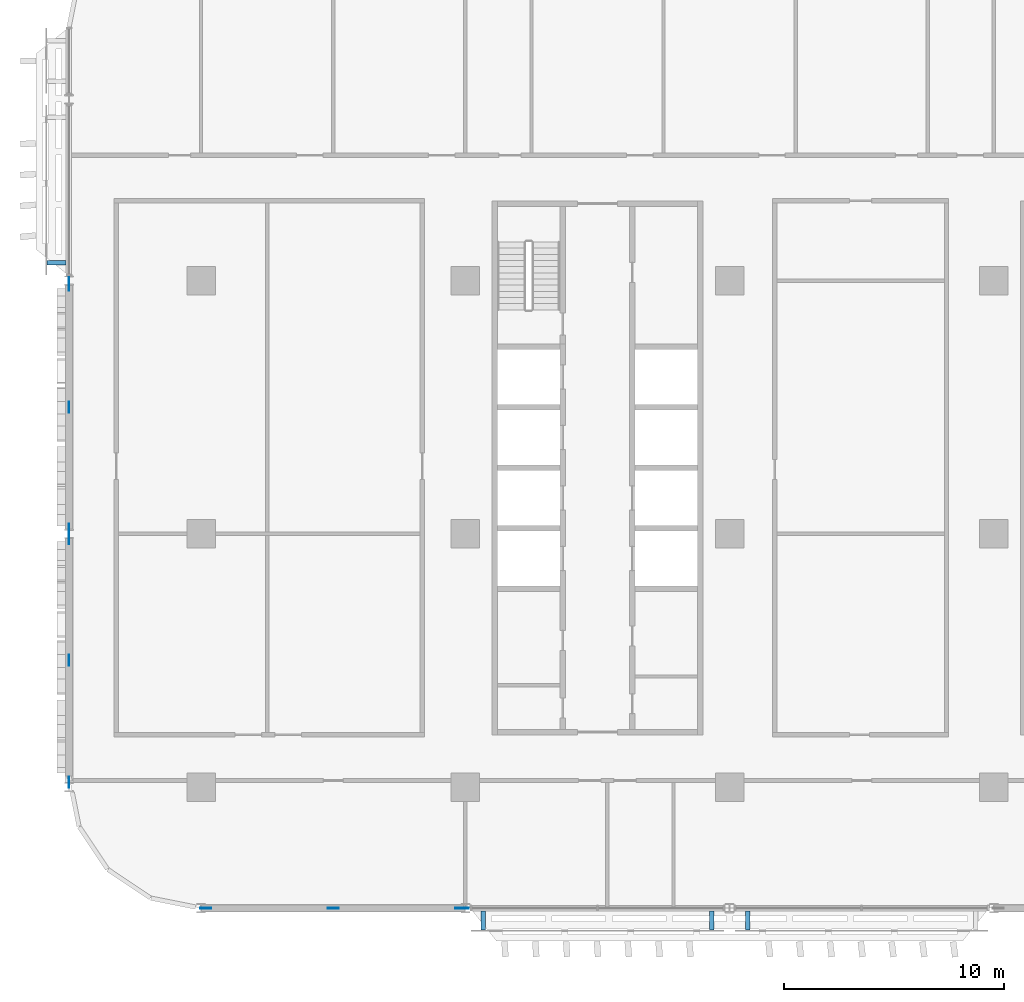
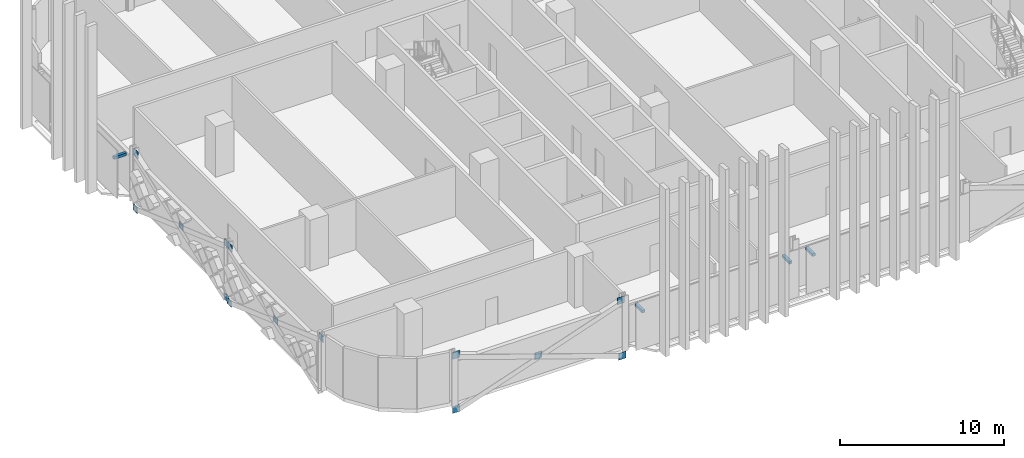
# One storey, part 18 of 33: 18 discrete accessories.
"""IFC4 building model written with IfcOpenShell, lengths in metres."""

from ifc_helpers import new_model, si_unit, direction, frame, origin, origin_2d, place, context, subcontext, project, spatial, rectangle, extrude, material, layer, layer_set, type_object, element, save


model = new_model("IFC4")

# Units and contexts
model_context = context("Model", 3, precision=1e-05, world=origin(), true_north=direction((0.0, 1.0)))
body_context = subcontext(model_context, "Body", "Model", "MODEL_VIEW")
ifc_project = project(units=[si_unit("LENGTHUNIT", "METRE"), si_unit("AREAUNIT", "SQUARE_METRE"), si_unit("VOLUMEUNIT", "CUBIC_METRE"), si_unit("PLANEANGLEUNIT", "RADIAN"), si_unit("MASSUNIT", "GRAM", prefix="KILO")], contexts=[model_context])

# Site, building, storey
site_placement = place(None, origin())
site = spatial("IfcSite", under=ifc_project, at=site_placement, CompositionType="ELEMENT")
building_placement = place(site_placement, origin())
building = spatial("IfcBuilding", under=site, at=building_placement, Name="Mahtab Terrace Research Tower", CompositionType="ELEMENT")
storey_placement = place(building_placement, frame((0.0, 0.0, 122.0)))
storey = spatial("IfcBuildingStorey", under=building, at=storey_placement, Name="L28", CompositionType="ELEMENT", Elevation=122.0)

# Discrete accessories
ifc_material_1 = material(Name="Black anodised aluminium", Category="aluminium")
discrete_accessory_type_1 = type_object("IfcDiscreteAccessoryType", Name="Facade bracket", PredefinedType="BRACKET", material=ifc_material_1)
for number, where, z_axis, x_axis, name in (
    (1, (-48.5625, 12.318115234375, 2.703125), (0.0, 0.0, 1.0), (0.0, -1.0, 0.0), "Screen bracket Girih screen L28 W17"),
    (2, (-29.181884765625, -17.5625, 2.703125), (0.0, 0.0, 1.0), (1.0, 0.0, 0.0), "Screen bracket Girih screen L28 S26"),
    (3, (-18.818115234375, -17.5625, 2.703125), (0.0, 0.0, 1.0), (1.0, 0.0, 0.0), "Screen bracket Girih screen L28 S26"),
    (4, (-17.181884765625, -17.5625, 2.703125), (0.0, 0.0, 1.0), (1.0, 0.0, 0.0), "Screen bracket Girih screen L28 S27"),
):
    element("IfcDiscreteAccessory", number, at=place(storey_placement, frame(where, z_axis=z_axis, x_axis=x_axis)), inside=storey, type_object=discrete_accessory_type_1, Name=name, PredefinedType="BRACKET", context=body_context, shape_type="SweptSolid", body=[
        extrude(rectangle(XDim=0.199951171875, YDim=0.875, at=origin_2d()), origin(), (0.0, 0.0, 1.0), 0.199951171875),
    ])
ifc_material_2 = material(Name="Steel ASTM A992 Gr 50", Category="steel")
ifc_layer = layer(ifc_material_2, 0.030029296875)
ifc_layer_set = layer_set([ifc_layer], Name="Gusset plate 500x500x30")
discrete_accessory_type_2 = type_object("IfcDiscreteAccessoryType", Name="Gusset plate 500x500x30", PredefinedType="USERDEFINED", material=ifc_layer_set)
for number, where, z_axis, x_axis, name in (
    (5, (-41.794189453125, -17.0, -0.898193359375), (0.0, 0.0, 1.0), (1.0, 0.0, 0.0), "Gusset plate"),
    (6, (-41.794189453125, -17.0, 3.131591796875), (0.0, 0.0, 1.0), (1.0, 0.0, 0.0), "Gusset plate"),
    (7, (-36.0, -17.0, 1.08154296875), (0.0, 0.0, 1.0), (1.0, 0.0, 0.0), "Gusset plate"),
    (8, (-30.102783203125, -17.0, -1.0234375), (0.0, 0.0, 1.0), (1.0, 0.0, 0.0), "Gusset plate"),
    (9, (-30.205810546875, -17.0, 3.131591796875), (0.0, 0.0, 1.0), (1.0, 0.0, 0.0), "Gusset plate"),
    (10, (-48.0, -11.28271484375, 3.131591796875), (0.0, 0.0, 1.0), (0.0, 1.0, 0.0), "Gusset plate"),
    (11, (-48.0, -5.75, 1.08154296875), (0.0, 0.0, 1.0), (0.0, 1.0, 0.0), "Gusset plate"),
    (12, (-48.0, -0.108642578125, -1.02001953125), (0.0, 0.0, 1.0), (0.0, 1.0, 0.0), "Gusset plate"),
    (13, (-48.0, -0.21728515625, 3.131591796875), (0.0, 0.0, 1.0), (0.0, 1.0, 0.0), "Gusset plate"),
    (14, (-48.0, 0.21728515625, -0.89111328125), (0.0, 0.0, 1.0), (0.0, 1.0, 0.0), "Gusset plate"),
    (15, (-48.0, 0.21728515625, 3.131591796875), (0.0, 0.0, 1.0), (0.0, 1.0, 0.0), "Gusset plate"),
    (16, (-48.0, 5.75, 1.08154296875), (0.0, 0.0, 1.0), (0.0, 1.0, 0.0), "Gusset plate"),
    (17, (-48.0, 11.391357421875, -1.02001953125), (0.0, 0.0, 1.0), (0.0, 1.0, 0.0), "Gusset plate"),
    (18, (-48.0, 11.28271484375, 3.131591796875), (0.0, 0.0, 1.0), (0.0, 1.0, 0.0), "Gusset plate"),
):
    element("IfcDiscreteAccessory", number, at=place(storey_placement, frame(where, z_axis=z_axis, x_axis=x_axis)), inside=storey, type_object=discrete_accessory_type_2, Name=name, ObjectType="GUSSET PLATE", PredefinedType="USERDEFINED", context=body_context, shape_type="SweptSolid", body=[
        extrude(rectangle(XDim=0.5, YDim=0.030029296875, at=origin_2d()), origin(), (0.0, 0.0, 1.0), 0.5),
    ])

save(model, "model.ifc")
